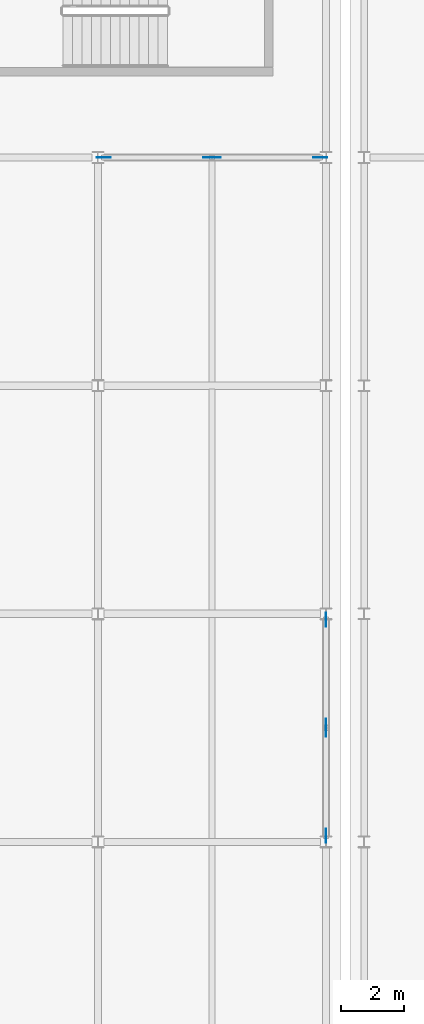
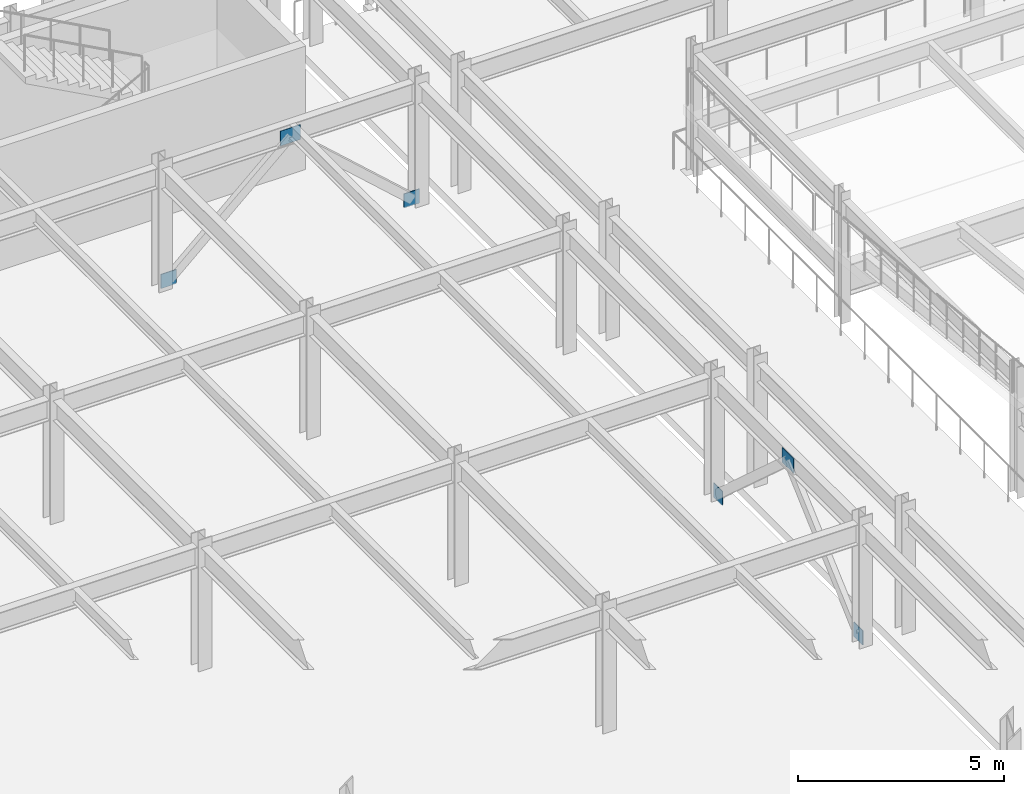
# One storey, part 33 of 52: 6 plates.
"""IFC4 building model written with IfcOpenShell, lengths in metres."""

from ifc_helpers import new_model, si_unit, direction, frame, origin, origin_2d, place, context, subcontext, project, spatial, rectangle, extrude, material, layer, layer_set, type_object, element, save


model = new_model("IFC4")

# Units and contexts
model_context = context("Model", 3, precision=1e-05, world=origin(), true_north=direction((0.0, 1.0)))
body_context = subcontext(model_context, "Body", "Model", "MODEL_VIEW")
ifc_project = project(units=[si_unit("LENGTHUNIT", "METRE"), si_unit("AREAUNIT", "SQUARE_METRE"), si_unit("VOLUMEUNIT", "CUBIC_METRE"), si_unit("PLANEANGLEUNIT", "RADIAN"), si_unit("MASSUNIT", "GRAM", prefix="KILO")], contexts=[model_context])

# Site, building, storey
site_placement = place(None, origin())
site = spatial("IfcSite", under=ifc_project, at=site_placement, CompositionType="ELEMENT")
building_placement = place(site_placement, origin())
building = spatial("IfcBuilding", under=site, at=building_placement, Name="Vaelcorin Mobility Hub", CompositionType="ELEMENT")
storey_placement = place(building_placement, frame((0.0, 0.0, 13.199951171875)))
storey = spatial("IfcBuildingStorey", under=building, at=storey_placement, Name="L03", CompositionType="ELEMENT", Elevation=13.199951171875)

# Plates
ifc_material = material(Name="Steel ASTM A572 Grade 50", Category="steel")
ifc_layer = layer(ifc_material, 0.02490234375)
ifc_layer_set = layer_set([ifc_layer], Name="Steel ASTM A572 Grade 50")
plate_type = type_object("IfcPlateType", Name="PL-GN3", PredefinedType="USERDEFINED", material=ifc_layer_set)
for number, where, z_axis, x_axis, name in (
    (1, (115.389892578125, 112.800048828125, -0.030029296875), (0.0, 0.0, 1.0), (1.0, 0.0, 0.0), "SCBF Gusset Plate GN3 V4-BX2-L03-A"),
    (2, (122.2099609375, 112.800048828125, -0.030029296875), (0.0, 0.0, 1.0), (1.0, 0.0, 0.0), "SCBF Gusset Plate GN3 V4-BX2-L03-B"),
):
    element("IfcPlate", number, at=place(storey_placement, frame(where, z_axis=z_axis, x_axis=x_axis)), inside=storey, type_object=plate_type, Name=name, ObjectType="GUSSET PLATE", PredefinedType="USERDEFINED", context=body_context, shape_type="SweptSolid", body=[
        extrude(rectangle(XDim=0.43994140625, YDim=0.02490234375, at=origin_2d()), origin(), (0.0, 0.0, 1.0), 0.419921875),
    ])
plate_1_placement = place(storey_placement, frame((118.800048828125, 112.800048828125, 3.030029296875), z_axis=(0.0, 0.0, 1.0), x_axis=(1.0, 0.0, 0.0)))
element("IfcPlate", 3, at=plate_1_placement, inside=storey, type_object=plate_type, Name="SCBF Apex Gusset GN3 V4-BX2-L03", ObjectType="GUSSET PLATE", PredefinedType="USERDEFINED", context=body_context, shape_type="SweptSolid", body=[
    extrude(rectangle(XDim=0.56005859375, YDim=0.02490234375, at=origin_2d()), origin(), (0.0, 0.0, 1.0), 0.43994140625),
])
for number, where, z_axis, x_axis, name in (
    (4, (122.39990234375, 91.389892578125, -0.030029296875), (0.0, 0.0, 1.0), (0.0, 1.0, 0.0), "SCBF Gusset Plate GN3 V4-BY2-L03-A"),
    (5, (122.39990234375, 98.2099609375, -0.030029296875), (0.0, 0.0, 1.0), (0.0, 1.0, 0.0), "SCBF Gusset Plate GN3 V4-BY2-L03-B"),
):
    element("IfcPlate", number, at=place(storey_placement, frame(where, z_axis=z_axis, x_axis=x_axis)), inside=storey, type_object=plate_type, Name=name, ObjectType="GUSSET PLATE", PredefinedType="USERDEFINED", context=body_context, shape_type="SweptSolid", body=[
        extrude(rectangle(XDim=0.43994140625, YDim=0.02490234375, at=origin_2d()), origin(), (0.0, 0.0, 1.0), 0.419921875),
    ])
plate_2_placement = place(storey_placement, frame((122.39990234375, 94.800048828125, 3.030029296875), z_axis=(0.0, 0.0, 1.0), x_axis=(0.0, 1.0, 0.0)))
element("IfcPlate", 6, at=plate_2_placement, inside=storey, type_object=plate_type, Name="SCBF Apex Gusset GN3 V4-BY2-L03", ObjectType="GUSSET PLATE", PredefinedType="USERDEFINED", context=body_context, shape_type="SweptSolid", body=[
    extrude(rectangle(XDim=0.56005859375, YDim=0.02490234375, at=origin_2d()), origin(), (0.0, 0.0, 1.0), 0.43994140625),
])

save(model, "model.ifc")
